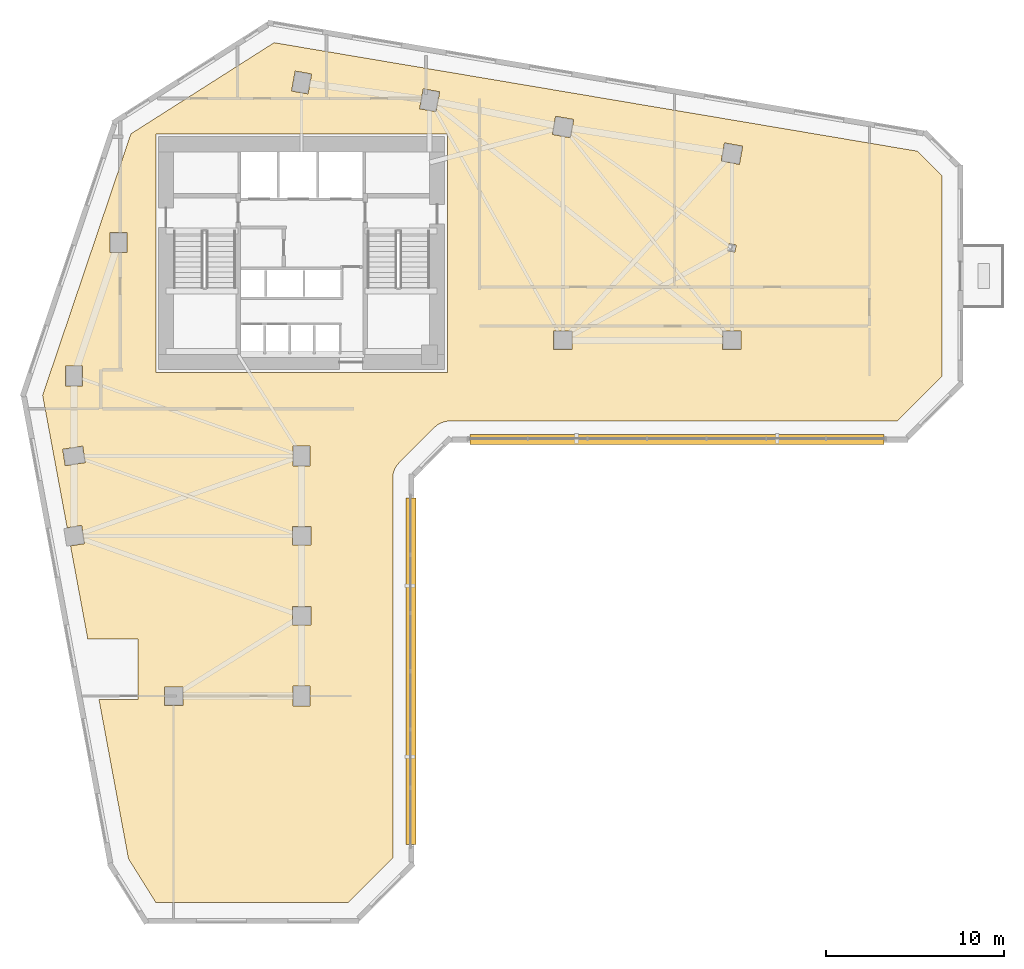
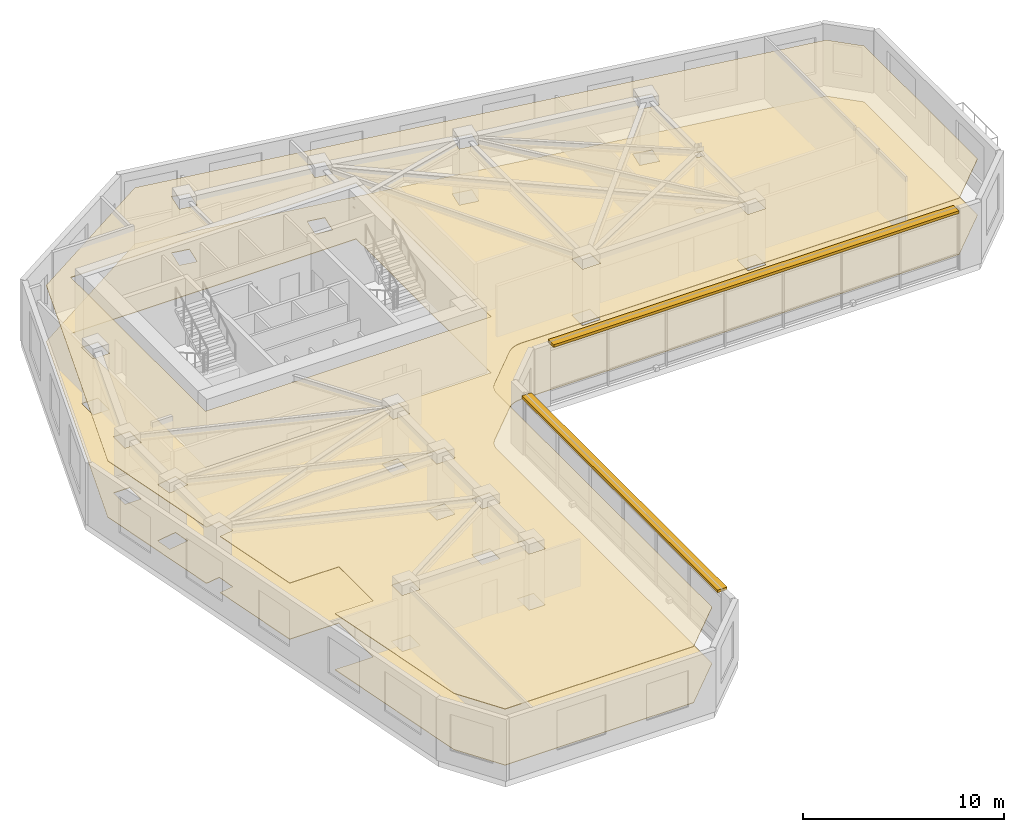
# One storey, part 9 of 11: 2 coverings, 2 shading devices.
"""IFC4 building model written with IfcOpenShell, lengths in metres."""

from ifc_helpers import new_model, si_unit, direction, frame, frame_2d, origin, place, context, subcontext, project, spatial, polyline, rectangle, outline, extrude, material, layer, layer_set, type_object, element, save


model = new_model("IFC4")

# Units and contexts
model_context = context("Model", 3, precision=1e-05, world=origin(), true_north=direction((0.0, 1.0)))
body_context = subcontext(model_context, "Body", "Model", "MODEL_VIEW")
ifc_project = project(units=[si_unit("LENGTHUNIT", "METRE"), si_unit("AREAUNIT", "SQUARE_METRE"), si_unit("VOLUMEUNIT", "CUBIC_METRE"), si_unit("PLANEANGLEUNIT", "RADIAN"), si_unit("MASSUNIT", "GRAM", prefix="KILO")], contexts=[model_context])

# Site, building, storey
site_placement = place(None, origin())
site = spatial("IfcSite", under=ifc_project, at=site_placement, CompositionType="ELEMENT")
building_placement = place(site_placement, origin())
building = spatial("IfcBuilding", under=site, at=building_placement, Name="Calvemar Wedge Station Tower", CompositionType="ELEMENT")
storey_placement = place(building_placement, frame((0.0, 0.0, 27.0)))
storey = spatial("IfcBuildingStorey", under=building, at=storey_placement, Name="L06", CompositionType="ELEMENT", Elevation=27.0)

# Coverings
ifc_material_1 = material(Name="Moisture-resistant gypsum ceiling")
ifc_layer_1 = layer(ifc_material_1, 0.0400390625)
ifc_layer_set_1 = layer_set([ifc_layer_1], Name="Moisture-resistant gypsum ceiling")
covering_type_1 = type_object("IfcCoveringType", Name="COV-CEIL-GYPSUM", PredefinedType="CEILING", material=ifc_layer_set_1)
covering_1_placement = place(storey_placement, frame((0.0, 0.0, 3.39990234375)))
element("IfcCovering", 1, at=covering_1_placement, inside=storey, type_object=covering_type_1, Name="Storey L06 Acoustic Suspended Ceiling", PredefinedType="CEILING", context=body_context, shape_type="SweptSolid", body=[
    extrude(outline(polyline([(29.279541015625, 28.1083984375), (31.279541015625, 30.1083984375), (31.36669921875, 30.1875), (31.461181640625, 30.2578125), (31.562255859375, 30.318359375), (31.668701171875, 30.36865234375), (31.77978515625, 30.408203125), (31.893798828125, 30.43701171875), (32.010498046875, 30.4541015625), (32.1279296875, 30.4599609375), (57.302978515625, 30.4599609375), (59.800048828125, 32.95703125), (59.800048828125, 44.262939453125), (58.422607421875, 45.640380859375), (22.255126953125, 51.739990234375), (14.201416015625, 46.614990234375), (9.23681640625, 31.911865234375), (10.6162109375, 24.465087890625), (11.43115234375, 24.595703125), (11.595703125, 23.56884765625), (10.805908203125, 23.4423828125), (11.777099609375, 18.199951171875), (14.60009765625, 18.199951171875), (14.60009765625, 14.800048828125), (12.406982421875, 14.800048828125), (14.06640625, 5.8427734375), (15.593017578125, 3.39990234375), (26.430908203125, 3.39990234375), (28.927978515625, 5.897216796875), (28.927978515625, 27.260009765625), (28.933837890625, 27.377685546875), (28.951171875, 27.494140625), (28.979736328125, 27.6083984375), (29.019287109375, 27.71923828125), (29.069580078125, 27.82568359375), (29.130126953125, 27.9267578125), (29.200439453125, 28.021240234375), (29.279541015625, 28.1083984375)]), holes=[polyline([(15.60009765625, 46.60009765625), (32.0, 46.60009765625), (32.0, 33.199951171875), (15.60009765625, 33.199951171875), (15.60009765625, 46.60009765625)]), polyline([(10.530029296875, 32.429931640625), (10.530029296875, 33.570068359375), (11.469970703125, 33.570068359375), (11.469970703125, 32.429931640625), (10.530029296875, 32.429931640625)]), polyline([(13.030029296875, 41.070068359375), (13.969970703125, 41.070068359375), (13.969970703125, 39.929931640625), (13.030029296875, 39.929931640625), (13.030029296875, 41.070068359375)]), polyline([(24.363525390625, 49.977783203125), (24.16162109375, 48.855712890625), (23.236572265625, 49.022216796875), (23.4384765625, 50.144287109375), (24.363525390625, 49.977783203125)]), polyline([(31.361572265625, 47.855712890625), (30.4365234375, 48.022216796875), (30.638427734375, 49.144287109375), (31.5634765625, 48.977783203125), (31.361572265625, 47.855712890625)]), polyline([(37.89599609375, 46.580322265625), (38.080322265625, 47.60400390625), (39.10400390625, 47.419677734375), (38.919677734375, 46.39599609375), (37.89599609375, 46.580322265625)]), polyline([(47.580322265625, 46.10400390625), (48.60400390625, 45.919677734375), (48.419677734375, 44.89599609375), (47.39599609375, 45.080322265625), (47.580322265625, 46.10400390625)]), polyline([(39.02001953125, 35.52001953125), (39.02001953125, 34.47998046875), (37.97998046875, 34.47998046875), (37.97998046875, 35.52001953125), (39.02001953125, 35.52001953125)]), polyline([(48.52001953125, 34.47998046875), (47.47998046875, 34.47998046875), (47.47998046875, 35.52001953125), (48.52001953125, 35.52001953125), (48.52001953125, 34.47998046875)]), polyline([(47.759765625, 40.033935546875), (47.832763671875, 40.439453125), (48.240234375, 40.3662109375), (48.167236328125, 39.960693359375), (47.759765625, 40.033935546875)]), polyline([(11.488525390625, 29.05419921875), (11.63720703125, 28.126220703125), (10.511474609375, 27.94580078125), (10.36279296875, 28.873779296875), (11.488525390625, 29.05419921875)]), polyline([(24.27001953125, 27.929931640625), (23.330078125, 27.929931640625), (23.330078125, 29.070068359375), (24.27001953125, 29.070068359375), (24.27001953125, 27.929931640625)]), polyline([(23.280029296875, 23.47998046875), (23.280029296875, 24.52001953125), (24.320068359375, 24.52001953125), (24.320068359375, 23.47998046875), (23.280029296875, 23.47998046875)]), polyline([(23.280029296875, 20.02001953125), (24.320068359375, 20.02001953125), (24.320068359375, 18.97998046875), (23.280029296875, 18.97998046875), (23.280029296875, 20.02001953125)]), polyline([(24.27001953125, 15.570068359375), (24.27001953125, 14.429931640625), (23.330078125, 14.429931640625), (23.330078125, 15.570068359375), (24.27001953125, 15.570068359375)]), polyline([(17.1201171875, 14.47998046875), (16.080078125, 14.47998046875), (16.080078125, 15.52001953125), (17.1201171875, 15.52001953125), (17.1201171875, 14.47998046875)])]), origin(), (0.0, 0.0, 1.0), 0.0400390625),
])
ifc_material_2 = material(Name="Commercial raised access floor")
ifc_layer_2 = layer(ifc_material_2, 0.030029296875)
ifc_layer_set_2 = layer_set([ifc_layer_2], Name="Commercial raised access floor")
covering_type_2 = type_object("IfcCoveringType", Name="COV-FLR-RAISED", PredefinedType="FLOORING", material=ifc_layer_set_2)
covering_2_placement = place(storey_placement, origin())
element("IfcCovering", 2, at=covering_2_placement, inside=storey, type_object=covering_type_2, Name="Storey L06 Architectural Floor Finish", PredefinedType="FLOORING", context=body_context, shape_type="SweptSolid", body=[
    extrude(outline(polyline([(29.279541015625, 28.1083984375), (31.279541015625, 30.1083984375), (31.36669921875, 30.1875), (31.461181640625, 30.2578125), (31.562255859375, 30.318359375), (31.668701171875, 30.36865234375), (31.77978515625, 30.408203125), (31.893798828125, 30.43701171875), (32.010498046875, 30.4541015625), (32.1279296875, 30.4599609375), (57.302978515625, 30.4599609375), (59.800048828125, 32.95703125), (59.800048828125, 44.262939453125), (58.422607421875, 45.640380859375), (22.255126953125, 51.739990234375), (14.201416015625, 46.614990234375), (9.23681640625, 31.911865234375), (10.6162109375, 24.465087890625), (11.43115234375, 24.595703125), (11.595703125, 23.56884765625), (10.805908203125, 23.4423828125), (11.777099609375, 18.199951171875), (14.60009765625, 18.199951171875), (14.60009765625, 14.800048828125), (12.406982421875, 14.800048828125), (14.06640625, 5.8427734375), (15.593017578125, 3.39990234375), (26.430908203125, 3.39990234375), (28.927978515625, 5.897216796875), (28.927978515625, 27.260009765625), (28.933837890625, 27.377685546875), (28.951171875, 27.494140625), (28.979736328125, 27.6083984375), (29.019287109375, 27.71923828125), (29.069580078125, 27.82568359375), (29.130126953125, 27.9267578125), (29.200439453125, 28.021240234375), (29.279541015625, 28.1083984375)]), holes=[polyline([(15.60009765625, 46.60009765625), (32.0, 46.60009765625), (32.0, 33.199951171875), (15.60009765625, 33.199951171875), (15.60009765625, 46.60009765625)]), polyline([(10.530029296875, 32.429931640625), (10.530029296875, 33.570068359375), (11.469970703125, 33.570068359375), (11.469970703125, 32.429931640625), (10.530029296875, 32.429931640625)]), polyline([(13.030029296875, 41.070068359375), (13.969970703125, 41.070068359375), (13.969970703125, 39.929931640625), (13.030029296875, 39.929931640625), (13.030029296875, 41.070068359375)]), polyline([(24.363525390625, 49.977783203125), (24.16162109375, 48.855712890625), (23.236572265625, 49.022216796875), (23.4384765625, 50.144287109375), (24.363525390625, 49.977783203125)]), polyline([(31.361572265625, 47.855712890625), (30.4365234375, 48.022216796875), (30.638427734375, 49.144287109375), (31.5634765625, 48.977783203125), (31.361572265625, 47.855712890625)]), polyline([(37.89599609375, 46.580322265625), (38.080322265625, 47.60400390625), (39.10400390625, 47.419677734375), (38.919677734375, 46.39599609375), (37.89599609375, 46.580322265625)]), polyline([(47.580322265625, 46.10400390625), (48.60400390625, 45.919677734375), (48.419677734375, 44.89599609375), (47.39599609375, 45.080322265625), (47.580322265625, 46.10400390625)]), polyline([(39.02001953125, 35.52001953125), (39.02001953125, 34.47998046875), (37.97998046875, 34.47998046875), (37.97998046875, 35.52001953125), (39.02001953125, 35.52001953125)]), polyline([(48.52001953125, 34.47998046875), (47.47998046875, 34.47998046875), (47.47998046875, 35.52001953125), (48.52001953125, 35.52001953125), (48.52001953125, 34.47998046875)]), polyline([(47.759765625, 40.033935546875), (47.832763671875, 40.439453125), (48.240234375, 40.3662109375), (48.167236328125, 39.960693359375), (47.759765625, 40.033935546875)]), polyline([(11.488525390625, 29.05419921875), (11.63720703125, 28.126220703125), (10.511474609375, 27.94580078125), (10.36279296875, 28.873779296875), (11.488525390625, 29.05419921875)]), polyline([(24.27001953125, 27.929931640625), (23.330078125, 27.929931640625), (23.330078125, 29.070068359375), (24.27001953125, 29.070068359375), (24.27001953125, 27.929931640625)]), polyline([(23.280029296875, 23.47998046875), (23.280029296875, 24.52001953125), (24.320068359375, 24.52001953125), (24.320068359375, 23.47998046875), (23.280029296875, 23.47998046875)]), polyline([(23.280029296875, 20.02001953125), (24.320068359375, 20.02001953125), (24.320068359375, 18.97998046875), (23.280029296875, 18.97998046875), (23.280029296875, 20.02001953125)]), polyline([(24.27001953125, 15.570068359375), (24.27001953125, 14.429931640625), (23.330078125, 14.429931640625), (23.330078125, 15.570068359375), (24.27001953125, 15.570068359375)]), polyline([(17.1201171875, 14.47998046875), (16.080078125, 14.47998046875), (16.080078125, 15.52001953125), (17.1201171875, 15.52001953125), (17.1201171875, 14.47998046875)])]), origin(), (0.0, 0.0, 1.0), 0.030029296875),
])

# Shading devices
ifc_material_3 = material(Name="Precast concrete C45", Category="concrete")
shading_device_type = type_object("IfcShadingDeviceType", Name="SHD-EYEBROW-1", PredefinedType="SHUTTER", material=ifc_material_3)
shading_device_1_placement = place(storey_placement, frame((29.9580078125, 6.662109375, 3.570068359375), z_axis=(0.0, 0.0, 1.0), x_axis=(0.0, 1.0, 0.0)))
element("IfcShadingDevice", 3, at=shading_device_1_placement, inside=storey, type_object=shading_device_type, Name="Storey L06 Bronze GFRC Solar Eyebrow 4", PredefinedType="SHUTTER", context=body_context, shape_type="SweptSolid", body=[
    extrude(rectangle(XDim=19.4599609375, YDim=0.550048828125, at=frame_2d((9.72998046875, 0.0))), origin(), (0.0, 0.0, 1.0), 0.159912109375),
])
shading_device_2_placement = place(storey_placement, frame((33.265869140625, 29.429931640625, 3.570068359375), z_axis=(0.0, 0.0, 1.0), x_axis=(1.0, 0.0, 0.0)))
element("IfcShadingDevice", 4, at=shading_device_2_placement, inside=storey, type_object=shading_device_type, Name="Storey L06 Bronze GFRC Solar Eyebrow 6", PredefinedType="SHUTTER", context=body_context, shape_type="SweptSolid", body=[
    extrude(rectangle(XDim=23.27197265625, YDim=0.550048828125, at=frame_2d((11.635986328125, 0.0))), origin(), (0.0, 0.0, 1.0), 0.159912109375),
])

save(model, "model.ifc")
